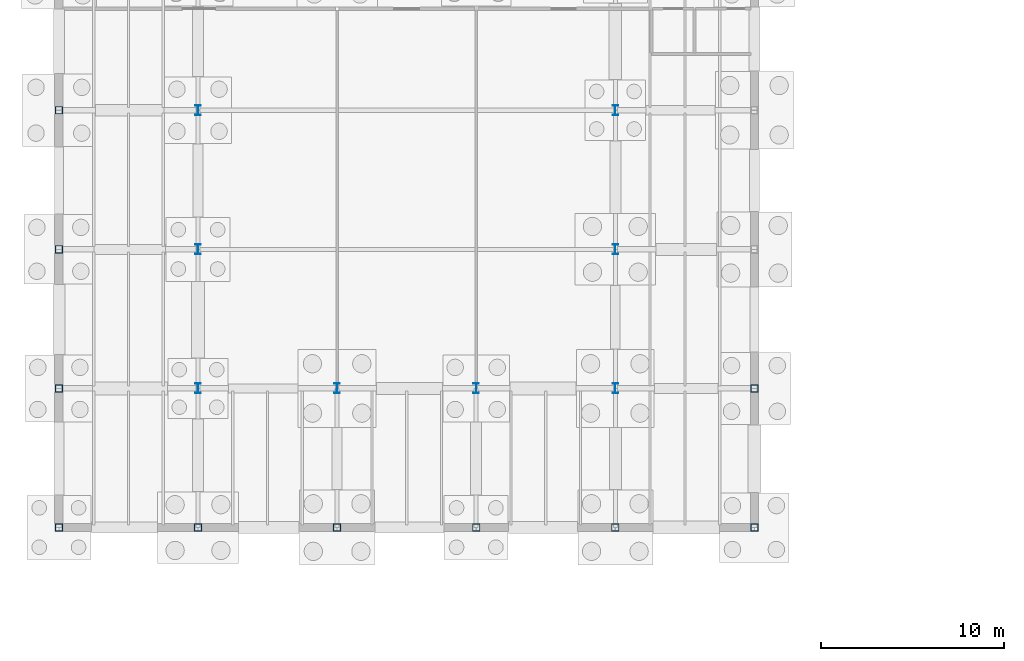
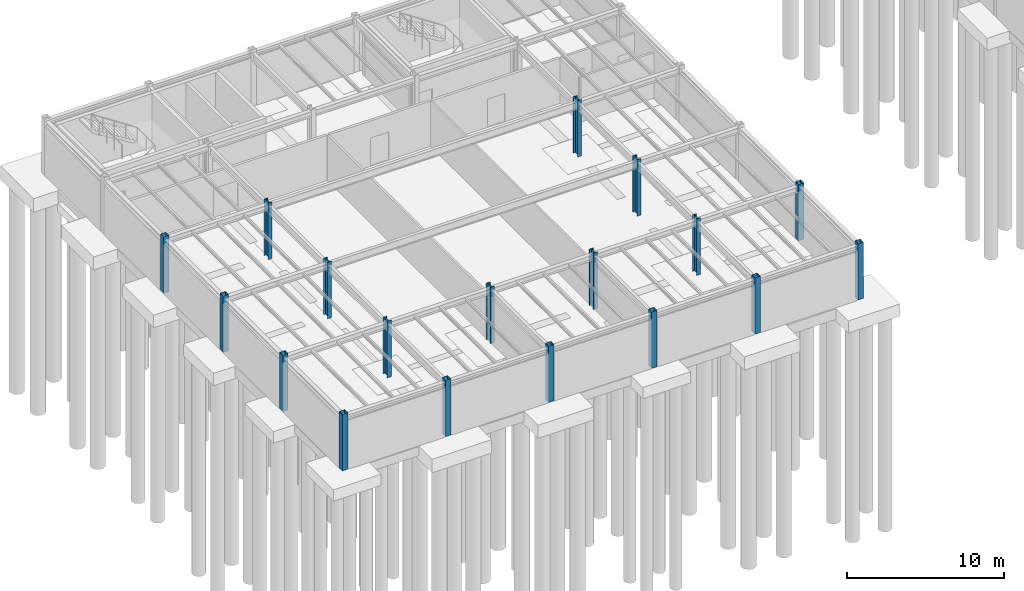
# One storey, part 11 of 33: 18 columns.
"""IFC4 building model written with IfcOpenShell, lengths in metres."""

from ifc_helpers import new_model, si_unit, direction, frame, origin, origin_2d, place, context, subcontext, project, spatial, hollow_rectangle, i_section, extrude, material, material_profile, profile_set, type_object, element, save


model = new_model("IFC4")

# Units and contexts
model_context = context("Model", 3, precision=1e-05, world=origin(), true_north=direction((0.0, 1.0)))
body_context = subcontext(model_context, "Body", "Model", "MODEL_VIEW")
ifc_project = project(units=[si_unit("LENGTHUNIT", "METRE"), si_unit("AREAUNIT", "SQUARE_METRE"), si_unit("VOLUMEUNIT", "CUBIC_METRE"), si_unit("PLANEANGLEUNIT", "RADIAN"), si_unit("MASSUNIT", "GRAM", prefix="KILO")], contexts=[model_context])

# Site, building, storey
site_placement = place(None, origin())
site = spatial("IfcSite", under=ifc_project, at=site_placement, CompositionType="ELEMENT")
building_placement = place(site_placement, origin())
building = spatial("IfcBuilding", under=site, at=building_placement, Name="Montecoro Central Library", CompositionType="ELEMENT")
storey_placement = place(building_placement, frame((0.0, 0.0, -4.419921875)))
storey = spatial("IfcBuildingStorey", under=building, at=storey_placement, Name="B1", CompositionType="ELEMENT", Elevation=-4.419921875)

# Columns
ifc_material = material(Name="Steel S355J2", Category="steel")
ifc_material_profile_1 = material_profile(ifc_material, i_section(OverallWidth=0.300048828125, OverallDepth=0.550048828125, WebThickness=0.014892578125, FlangeThickness=0.029052734375, at=origin_2d()), Name="HEB 550")
ifc_profile_set_1 = profile_set([ifc_material_profile_1], Name="Steel S355J2")
column_type_1 = type_object("IfcColumnType", Name="COL-HEB550", PredefinedType="COLUMN", material=ifc_profile_set_1)
for number, where, z_axis, x_axis, name in (
    (1, (12.60009765625, 81.0, 0.0), (0.0, 0.0, 1.0), (1.0, 0.0, 0.0), "V4-B1-COL-2-L"),
    (2, (12.60009765625, 88.60009765625, 0.0), (0.0, 0.0, 1.0), (1.0, 0.0, 0.0), "V4-B1-COL-2-M"),
    (3, (12.60009765625, 96.199951171875, 0.0), (0.0, 0.0, 1.0), (1.0, 0.0, 0.0), "V4-B1-COL-2-N"),
    (4, (20.199951171875, 81.0, 0.0), (0.0, 0.0, 1.0), (1.0, 0.0, 0.0), "V4-B1-COL-3-L"),
    (5, (27.800048828125, 81.0, 0.0), (0.0, 0.0, 1.0), (1.0, 0.0, 0.0), "V4-B1-COL-4-L"),
    (6, (35.39990234375, 81.0, 0.0), (0.0, 0.0, 1.0), (1.0, 0.0, 0.0), "V4-B1-COL-5-L"),
    (7, (35.39990234375, 88.60009765625, 0.0), (0.0, 0.0, 1.0), (1.0, 0.0, 0.0), "V4-B1-COL-5-M"),
    (8, (35.39990234375, 96.199951171875, 0.0), (0.0, 0.0, 1.0), (1.0, 0.0, 0.0), "V4-B1-COL-5-N"),
):
    element("IfcColumn", number, at=place(storey_placement, frame(where, z_axis=z_axis, x_axis=x_axis)), inside=storey, type_object=column_type_1, Name=name, PredefinedType="COLUMN", context=body_context, shape_type="SweptSolid", body=[
        extrude(i_section(OverallWidth=0.300048828125, OverallDepth=0.550048828125, WebThickness=0.014892578125, FlangeThickness=0.029052734375, at=origin_2d()), origin(), (0.0, 0.0, 1.0), 4.39501953125),
    ])
ifc_material_profile_2 = material_profile(ifc_material, hollow_rectangle(XDim=0.39990234375, YDim=0.39990234375, WallThickness=0.01611328125, at=origin_2d()), Name="SHS 400x400x16.0")
ifc_profile_set_2 = profile_set([ifc_material_profile_2], Name="Steel S355J2")
column_type_2 = type_object("IfcColumnType", Name="COL-SHS400", PredefinedType="COLUMN", material=ifc_profile_set_2)
for number, where, z_axis, x_axis, name in (
    (9, (5.0, 73.39990234375, 0.0), (0.0, 0.0, 1.0), (1.0, 0.0, 0.0), "V4-B1-COL-1-K"),
    (10, (5.0, 81.0, 0.0), (0.0, 0.0, 1.0), (1.0, 0.0, 0.0), "V4-B1-COL-1-L"),
    (11, (5.0, 88.60009765625, 0.0), (0.0, 0.0, 1.0), (1.0, 0.0, 0.0), "V4-B1-COL-1-M"),
    (12, (5.0, 96.199951171875, 0.0), (0.0, 0.0, 1.0), (1.0, 0.0, 0.0), "V4-B1-COL-1-N"),
    (13, (12.60009765625, 73.39990234375, 0.0), (0.0, 0.0, 1.0), (1.0, 0.0, 0.0), "V4-B1-COL-2-K"),
    (14, (20.199951171875, 73.39990234375, 0.0), (0.0, 0.0, 1.0), (1.0, 0.0, 0.0), "V4-B1-COL-3-K"),
    (15, (27.800048828125, 73.39990234375, 0.0), (0.0, 0.0, 1.0), (1.0, 0.0, 0.0), "V4-B1-COL-4-K"),
    (16, (35.39990234375, 73.39990234375, 0.0), (0.0, 0.0, 1.0), (1.0, 0.0, 0.0), "V4-B1-COL-5-K"),
    (17, (43.0, 73.39990234375, 0.0), (0.0, 0.0, 1.0), (1.0, 0.0, 0.0), "V4-B1-COL-6-K"),
    (18, (43.0, 81.0, 0.0), (0.0, 0.0, 1.0), (1.0, 0.0, 0.0), "V4-B1-COL-6-L"),
):
    element("IfcColumn", number, at=place(storey_placement, frame(where, z_axis=z_axis, x_axis=x_axis)), inside=storey, type_object=column_type_2, Name=name, PredefinedType="COLUMN", context=body_context, shape_type="SweptSolid", body=[
        extrude(hollow_rectangle(XDim=0.39990234375, YDim=0.39990234375, WallThickness=0.01611328125, at=origin_2d()), origin(), (0.0, 0.0, 1.0), 4.39501953125),
    ])

save(model, "model.ifc")
